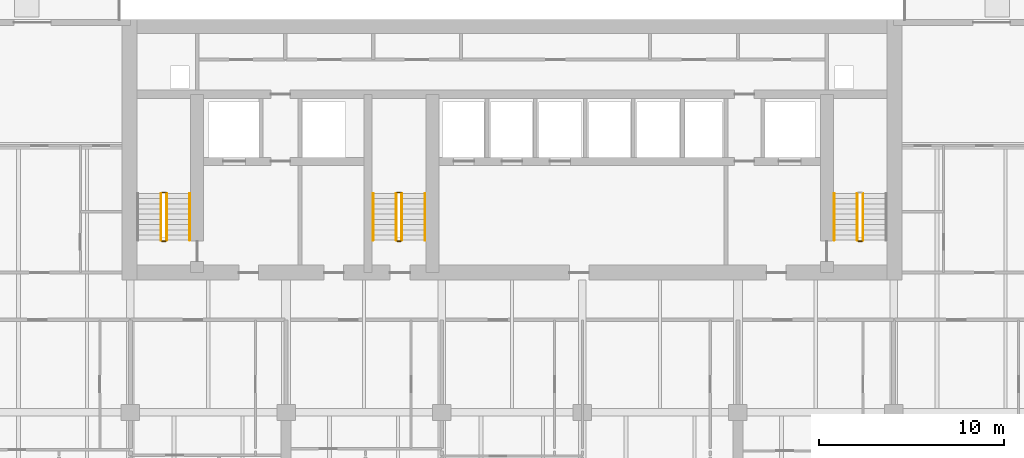
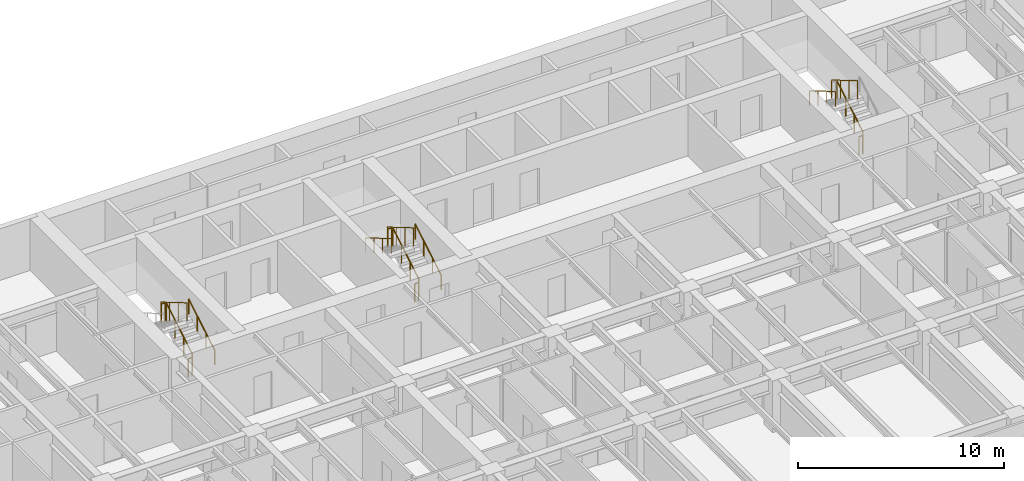
# One storey, part 15 of 17: 15 railings.
"""IFC4 building model written with IfcOpenShell, lengths in metres."""

from ifc_helpers import new_model, si_unit, direction, frame, origin, origin_2d, place, context, subcontext, project, spatial, circle, extrude, material, type_object, element, save


model = new_model("IFC4")

# Units and contexts
model_context = context("Model", 3, precision=1e-05, world=origin(), true_north=direction((0.0, 1.0)))
body_context = subcontext(model_context, "Body", "Model", "MODEL_VIEW")
ifc_project = project(units=[si_unit("LENGTHUNIT", "METRE"), si_unit("AREAUNIT", "SQUARE_METRE"), si_unit("VOLUMEUNIT", "CUBIC_METRE"), si_unit("PLANEANGLEUNIT", "RADIAN"), si_unit("MASSUNIT", "GRAM", prefix="KILO")], contexts=[model_context])

# Site, building, storey
site_placement = place(None, origin())
site = spatial("IfcSite", under=ifc_project, at=site_placement, CompositionType="ELEMENT")
building_placement = place(site_placement, origin())
building = spatial("IfcBuilding", under=site, at=building_placement, Name="Caelmar Bay Residences", CompositionType="ELEMENT")
storey_placement = place(building_placement, frame((0.0, 0.0, 84.60009765625)))
storey = spatial("IfcBuildingStorey", under=building, at=storey_placement, Name="L22", CompositionType="ELEMENT", Elevation=84.60009765625)

# Railings
ifc_material_1 = material(Name="Painted galvanized steel stair guard 1100 mm", Category="steel")
railing_type_1 = type_object("IfcRailingType", Name="RL-GRD-1100", PredefinedType="GUARDRAIL", material=ifc_material_1)
railing_1_placement = place(storey_placement, frame((20.25, 38.699951171875, 0.164794921875)))
element("IfcRailing", 1, at=railing_1_placement, inside=storey, type_object=railing_type_1, Name="L22 ST1 stair guard 1", PredefinedType="GUARDRAIL", context=body_context, shape_type="SweptSolid", body=[
    extrude(circle(Radius=0.02392578125, at=origin_2d()), frame((0.0, 0.0, 1.076171875), z_axis=(0.0, 0.86152411907, 0.507716645641), x_axis=(-1.0, 0.0, 0.0)), (0.0, 0.0, 1.0), 2.925048828125),
    extrude(circle(Radius=0.02099609375, at=origin_2d()), origin(), (0.0, 0.0, 1.0), 1.052001953125),
    extrude(circle(Radius=0.02099609375, at=origin_2d()), frame((0.0, 0.840087890625, 0.4951171875)), (0.0, 0.0, 1.0), 1.052001953125),
    extrude(circle(Radius=0.02099609375, at=origin_2d()), frame((0.0, 1.679931640625, 0.989990234375)), (0.0, 0.0, 1.0), 1.052001953125),
    extrude(circle(Radius=0.02099609375, at=origin_2d()), frame((0.0, 2.52001953125, 1.485107421875)), (0.0, 0.0, 1.0), 1.052001953125),
])
railing_2_placement = place(storey_placement, frame((20.199951171875, 41.27001953125, 1.64990234375)))
element("IfcRailing", 2, at=railing_2_placement, inside=storey, type_object=railing_type_1, Name="L22 ST1 stair guard 2", PredefinedType="GUARDRAIL", context=body_context, shape_type="SweptSolid", body=[
    extrude(circle(Radius=0.02392578125, at=origin_2d()), frame((0.0, 0.0, 1.076171875), z_axis=(-1.0, 0.0, 0.0), x_axis=(0.0, -1.0, 0.0)), (0.0, 0.0, 1.0), 0.199951171875),
    extrude(circle(Radius=0.02099609375, at=origin_2d()), origin(), (0.0, 0.0, 1.0), 1.052001953125),
    extrude(circle(Radius=0.02099609375, at=origin_2d()), frame((-0.199951171875, 0.0, 0.0)), (0.0, 0.0, 1.0), 1.052001953125),
])
railing_3_placement = place(storey_placement, frame((19.949951171875, 41.219970703125, 1.81494140625)))
element("IfcRailing", 3, at=railing_3_placement, inside=storey, type_object=railing_type_1, Name="L22 ST1 stair guard 3", PredefinedType="GUARDRAIL", context=body_context, shape_type="SweptSolid", body=[
    extrude(circle(Radius=0.02392578125, at=origin_2d()), frame((0.0, 0.0, 1.076171875), z_axis=(0.0, -0.861560626758, 0.507654692109), x_axis=(1.0, 0.0, 0.0)), (0.0, 0.0, 1.0), 2.925048828125),
    extrude(circle(Radius=0.02099609375, at=origin_2d()), origin(), (0.0, 0.0, 1.0), 1.052001953125),
    extrude(circle(Radius=0.02099609375, at=origin_2d()), frame((0.0, -0.840087890625, 0.494873046875)), (0.0, 0.0, 1.0), 1.052001953125),
    extrude(circle(Radius=0.02099609375, at=origin_2d()), frame((0.0, -1.679931640625, 0.989990234375)), (0.0, 0.0, 1.0), 1.052001953125),
    extrude(circle(Radius=0.02099609375, at=origin_2d()), frame((0.0, -2.52001953125, 1.48486328125)), (0.0, 0.0, 1.0), 1.052001953125),
])
railing_4_placement = place(storey_placement, frame((20.199951171875, 38.64990234375, 0.0)))
element("IfcRailing", 4, at=railing_4_placement, inside=storey, type_object=railing_type_1, Name="L22 ST1 stair guard 4", PredefinedType="GUARDRAIL", context=body_context, shape_type="SweptSolid", body=[
    extrude(circle(Radius=0.02392578125, at=origin_2d()), frame((0.0, 0.0, 1.076171875), z_axis=(-1.0, 0.0, 0.0), x_axis=(0.0, -1.0, 0.0)), (0.0, 0.0, 1.0), 0.199951171875),
    extrude(circle(Radius=0.02099609375, at=origin_2d()), origin(), (0.0, 0.0, 1.0), 1.052001953125),
    extrude(circle(Radius=0.02099609375, at=origin_2d()), frame((-0.199951171875, 0.0, 0.0)), (0.0, 0.0, 1.0), 1.052001953125),
])
railing_5_placement = place(storey_placement, frame((57.85009765625, 38.699951171875, 0.164794921875)))
element("IfcRailing", 5, at=railing_5_placement, inside=storey, type_object=railing_type_1, Name="L22 ST2 stair guard 1", PredefinedType="GUARDRAIL", context=body_context, shape_type="SweptSolid", body=[
    extrude(circle(Radius=0.02392578125, at=origin_2d()), frame((0.0, 0.0, 1.076171875), z_axis=(0.0, 0.86152411907, 0.507716645641), x_axis=(-1.0, 0.0, 0.0)), (0.0, 0.0, 1.0), 2.925048828125),
    extrude(circle(Radius=0.02099609375, at=origin_2d()), origin(), (0.0, 0.0, 1.0), 1.052001953125),
    extrude(circle(Radius=0.02099609375, at=origin_2d()), frame((0.0, 0.840087890625, 0.4951171875)), (0.0, 0.0, 1.0), 1.052001953125),
    extrude(circle(Radius=0.02099609375, at=origin_2d()), frame((0.0, 1.679931640625, 0.989990234375)), (0.0, 0.0, 1.0), 1.052001953125),
    extrude(circle(Radius=0.02099609375, at=origin_2d()), frame((0.0, 2.52001953125, 1.485107421875)), (0.0, 0.0, 1.0), 1.052001953125),
])
railing_6_placement = place(storey_placement, frame((57.550048828125, 41.219970703125, 1.81494140625)))
element("IfcRailing", 6, at=railing_6_placement, inside=storey, type_object=railing_type_1, Name="L22 ST2 stair guard 3", PredefinedType="GUARDRAIL", context=body_context, shape_type="SweptSolid", body=[
    extrude(circle(Radius=0.02392578125, at=origin_2d()), frame((0.0, 0.0, 1.076171875), z_axis=(0.0, -0.861560626758, 0.507654692109), x_axis=(1.0, 0.0, 0.0)), (0.0, 0.0, 1.0), 2.925048828125),
    extrude(circle(Radius=0.02099609375, at=origin_2d()), origin(), (0.0, 0.0, 1.0), 1.052001953125),
    extrude(circle(Radius=0.02099609375, at=origin_2d()), frame((0.0, -0.840087890625, 0.494873046875)), (0.0, 0.0, 1.0), 1.052001953125),
    extrude(circle(Radius=0.02099609375, at=origin_2d()), frame((0.0, -1.679931640625, 0.989990234375)), (0.0, 0.0, 1.0), 1.052001953125),
    extrude(circle(Radius=0.02099609375, at=origin_2d()), frame((0.0, -2.52001953125, 1.48486328125)), (0.0, 0.0, 1.0), 1.052001953125),
])
railing_7_placement = place(storey_placement, frame((57.800048828125, 38.64990234375, 0.0)))
element("IfcRailing", 7, at=railing_7_placement, inside=storey, type_object=railing_type_1, Name="L22 ST2 stair guard 4", PredefinedType="GUARDRAIL", context=body_context, shape_type="SweptSolid", body=[
    extrude(circle(Radius=0.02392578125, at=origin_2d()), frame((0.0, 0.0, 1.076171875), z_axis=(-1.0, 0.0, 0.0), x_axis=(0.0, -1.0, 0.0)), (0.0, 0.0, 1.0), 0.199951171875),
    extrude(circle(Radius=0.02099609375, at=origin_2d()), origin(), (0.0, 0.0, 1.0), 1.052001953125),
    extrude(circle(Radius=0.02099609375, at=origin_2d()), frame((-0.199951171875, 0.0, 0.0)), (0.0, 0.0, 1.0), 1.052001953125),
])
railing_8_placement = place(storey_placement, frame((32.949951171875, 38.699951171875, 0.164794921875)))
element("IfcRailing", 8, at=railing_8_placement, inside=storey, type_object=railing_type_1, Name="L22 ST3 stair guard 1", PredefinedType="GUARDRAIL", context=body_context, shape_type="SweptSolid", body=[
    extrude(circle(Radius=0.02392578125, at=origin_2d()), frame((0.0, 0.0, 1.076171875), z_axis=(0.0, 0.86152411907, 0.507716645641), x_axis=(-1.0, 0.0, 0.0)), (0.0, 0.0, 1.0), 2.925048828125),
    extrude(circle(Radius=0.02099609375, at=origin_2d()), origin(), (0.0, 0.0, 1.0), 1.052001953125),
    extrude(circle(Radius=0.02099609375, at=origin_2d()), frame((0.0, 0.840087890625, 0.4951171875)), (0.0, 0.0, 1.0), 1.052001953125),
    extrude(circle(Radius=0.02099609375, at=origin_2d()), frame((0.0, 1.679931640625, 0.989990234375)), (0.0, 0.0, 1.0), 1.052001953125),
    extrude(circle(Radius=0.02099609375, at=origin_2d()), frame((0.0, 2.52001953125, 1.485107421875)), (0.0, 0.0, 1.0), 1.052001953125),
])
railing_9_placement = place(storey_placement, frame((32.89990234375, 41.27001953125, 1.64990234375)))
element("IfcRailing", 9, at=railing_9_placement, inside=storey, type_object=railing_type_1, Name="L22 ST3 stair guard 2", PredefinedType="GUARDRAIL", context=body_context, shape_type="SweptSolid", body=[
    extrude(circle(Radius=0.02392578125, at=origin_2d()), frame((0.0, 0.0, 1.076171875), z_axis=(-1.0, 0.0, 0.0), x_axis=(0.0, -1.0, 0.0)), (0.0, 0.0, 1.0), 0.199951171875),
    extrude(circle(Radius=0.02099609375, at=origin_2d()), origin(), (0.0, 0.0, 1.0), 1.052001953125),
    extrude(circle(Radius=0.02099609375, at=origin_2d()), frame((-0.199951171875, 0.0, 0.0)), (0.0, 0.0, 1.0), 1.052001953125),
])
railing_10_placement = place(storey_placement, frame((32.64990234375, 41.219970703125, 1.81494140625)))
element("IfcRailing", 10, at=railing_10_placement, inside=storey, type_object=railing_type_1, Name="L22 ST3 stair guard 3", PredefinedType="GUARDRAIL", context=body_context, shape_type="SweptSolid", body=[
    extrude(circle(Radius=0.02392578125, at=origin_2d()), frame((0.0, 0.0, 1.076171875), z_axis=(0.0, -0.861560626758, 0.507654692109), x_axis=(1.0, 0.0, 0.0)), (0.0, 0.0, 1.0), 2.925048828125),
    extrude(circle(Radius=0.02099609375, at=origin_2d()), origin(), (0.0, 0.0, 1.0), 1.052001953125),
    extrude(circle(Radius=0.02099609375, at=origin_2d()), frame((0.0, -0.840087890625, 0.494873046875)), (0.0, 0.0, 1.0), 1.052001953125),
    extrude(circle(Radius=0.02099609375, at=origin_2d()), frame((0.0, -1.679931640625, 0.989990234375)), (0.0, 0.0, 1.0), 1.052001953125),
    extrude(circle(Radius=0.02099609375, at=origin_2d()), frame((0.0, -2.52001953125, 1.48486328125)), (0.0, 0.0, 1.0), 1.052001953125),
])
railing_11_placement = place(storey_placement, frame((32.89990234375, 38.64990234375, 0.0)))
element("IfcRailing", 11, at=railing_11_placement, inside=storey, type_object=railing_type_1, Name="L22 ST3 stair guard 4", PredefinedType="GUARDRAIL", context=body_context, shape_type="SweptSolid", body=[
    extrude(circle(Radius=0.02392578125, at=origin_2d()), frame((0.0, 0.0, 1.076171875), z_axis=(-1.0, 0.0, 0.0), x_axis=(0.0, -1.0, 0.0)), (0.0, 0.0, 1.0), 0.199951171875),
    extrude(circle(Radius=0.02099609375, at=origin_2d()), origin(), (0.0, 0.0, 1.0), 1.052001953125),
    extrude(circle(Radius=0.02099609375, at=origin_2d()), frame((-0.199951171875, 0.0, 0.0)), (0.0, 0.0, 1.0), 1.052001953125),
])
ifc_material_2 = material(Name="Brushed bronze stainless-steel tubular handrail 900 mm", Category="steel")
railing_type_2 = type_object("IfcRailingType", Name="RL-HND-900", PredefinedType="HANDRAIL", material=ifc_material_2)
railing_12_placement = place(storey_placement, frame((21.5, 38.699951171875, 0.164794921875)))
element("IfcRailing", 12, at=railing_12_placement, inside=storey, type_object=railing_type_2, Name="L22 ST1 stair handrail 1", PredefinedType="HANDRAIL", context=body_context, shape_type="SweptSolid", body=[
    extrude(circle(Radius=0.02392578125, at=origin_2d()), frame((0.0, 0.0, 0.8759765625), z_axis=(0.0, 0.86152411907, 0.507716645641), x_axis=(-1.0, 0.0, 0.0)), (0.0, 0.0, 1.0), 2.925048828125),
    extrude(circle(Radius=0.02099609375, at=origin_2d()), origin(), (0.0, 0.0, 1.0), 0.851806640625),
    extrude(circle(Radius=0.02099609375, at=origin_2d()), frame((0.0, 0.840087890625, 0.4951171875)), (0.0, 0.0, 1.0), 0.851806640625),
    extrude(circle(Radius=0.02099609375, at=origin_2d()), frame((0.0, 1.679931640625, 0.989990234375)), (0.0, 0.0, 1.0), 0.851806640625),
    extrude(circle(Radius=0.02099609375, at=origin_2d()), frame((0.0, 2.52001953125, 1.485107421875)), (0.0, 0.0, 1.0), 0.851806640625),
])
railing_13_placement = place(storey_placement, frame((56.300048828125, 41.219970703125, 1.81494140625)))
element("IfcRailing", 13, at=railing_13_placement, inside=storey, type_object=railing_type_2, Name="L22 ST2 stair handrail 2", PredefinedType="HANDRAIL", context=body_context, shape_type="SweptSolid", body=[
    extrude(circle(Radius=0.02392578125, at=origin_2d()), frame((0.0, 0.0, 0.8759765625), z_axis=(0.0, -0.861560626758, 0.507654692109), x_axis=(1.0, 0.0, 0.0)), (0.0, 0.0, 1.0), 2.925048828125),
    extrude(circle(Radius=0.02099609375, at=origin_2d()), origin(), (0.0, 0.0, 1.0), 0.851806640625),
    extrude(circle(Radius=0.02099609375, at=origin_2d()), frame((0.0, -0.840087890625, 0.494873046875)), (0.0, 0.0, 1.0), 0.851806640625),
    extrude(circle(Radius=0.02099609375, at=origin_2d()), frame((0.0, -1.679931640625, 0.989990234375)), (0.0, 0.0, 1.0), 0.851806640625),
    extrude(circle(Radius=0.02099609375, at=origin_2d()), frame((0.0, -2.52001953125, 1.48486328125)), (0.0, 0.0, 1.0), 0.851806640625),
])
railing_14_placement = place(storey_placement, frame((34.199951171875, 38.699951171875, 0.164794921875)))
element("IfcRailing", 14, at=railing_14_placement, inside=storey, type_object=railing_type_2, Name="L22 ST3 stair handrail 1", PredefinedType="HANDRAIL", context=body_context, shape_type="SweptSolid", body=[
    extrude(circle(Radius=0.02392578125, at=origin_2d()), frame((0.0, 0.0, 0.8759765625), z_axis=(0.0, 0.86152411907, 0.507716645641), x_axis=(-1.0, 0.0, 0.0)), (0.0, 0.0, 1.0), 2.925048828125),
    extrude(circle(Radius=0.02099609375, at=origin_2d()), origin(), (0.0, 0.0, 1.0), 0.851806640625),
    extrude(circle(Radius=0.02099609375, at=origin_2d()), frame((0.0, 0.840087890625, 0.4951171875)), (0.0, 0.0, 1.0), 0.851806640625),
    extrude(circle(Radius=0.02099609375, at=origin_2d()), frame((0.0, 1.679931640625, 0.989990234375)), (0.0, 0.0, 1.0), 0.851806640625),
    extrude(circle(Radius=0.02099609375, at=origin_2d()), frame((0.0, 2.52001953125, 1.485107421875)), (0.0, 0.0, 1.0), 0.851806640625),
])
railing_15_placement = place(storey_placement, frame((31.39990234375, 41.219970703125, 1.81494140625)))
element("IfcRailing", 15, at=railing_15_placement, inside=storey, type_object=railing_type_2, Name="L22 ST3 stair handrail 2", PredefinedType="HANDRAIL", context=body_context, shape_type="SweptSolid", body=[
    extrude(circle(Radius=0.02392578125, at=origin_2d()), frame((0.0, 0.0, 0.8759765625), z_axis=(0.0, -0.861560626758, 0.507654692109), x_axis=(1.0, 0.0, 0.0)), (0.0, 0.0, 1.0), 2.925048828125),
    extrude(circle(Radius=0.02099609375, at=origin_2d()), origin(), (0.0, 0.0, 1.0), 0.851806640625),
    extrude(circle(Radius=0.02099609375, at=origin_2d()), frame((0.0, -0.840087890625, 0.494873046875)), (0.0, 0.0, 1.0), 0.851806640625),
    extrude(circle(Radius=0.02099609375, at=origin_2d()), frame((0.0, -1.679931640625, 0.989990234375)), (0.0, 0.0, 1.0), 0.851806640625),
    extrude(circle(Radius=0.02099609375, at=origin_2d()), frame((0.0, -2.52001953125, 1.48486328125)), (0.0, 0.0, 1.0), 0.851806640625),
])

save(model, "model.ifc")
